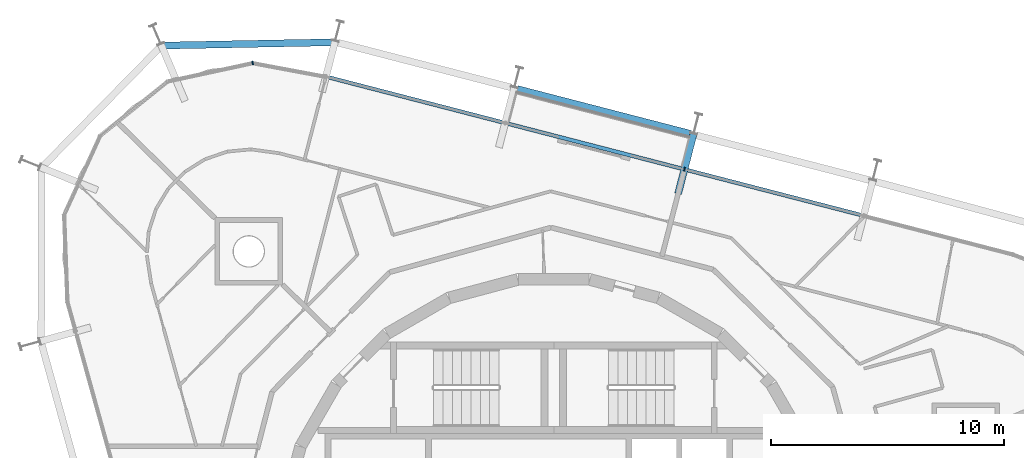
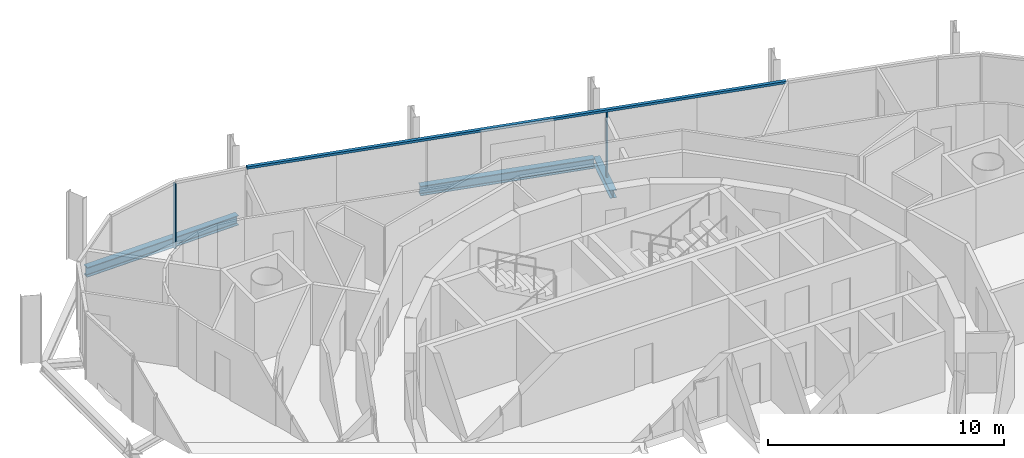
# One storey, part 6 of 15: 3 beams, 3 members, 2 elements without a shape of their own.
"""IFC4 building model written with IfcOpenShell, lengths in metres."""

import ifcopenshell
import ifcopenshell.guid

model = None  # the IFC model being written
_history = None  # IfcOwnerHistory: only IFC2X3 demands one
_inside = {}  # id of a spatial element -> (the spatial element, [elements in it])
_under = {}  # id of a project, library or spatial element -> (it, [spatial elements below it])
_declared = {}  # id of a project -> (the project, [libraries it declares])
_typed = {}  # id of a type object -> (the type object, [elements of that type])
_made_of = {}  # id of a material, layer set ... -> (it, [elements and type objects made of it])


def new_model(schema):
    """Start an empty IFC model of exactly this schema.

    Asked for "IFC4X3", IfcOpenShell would pick the latest addendum, in which some entities
    have other attributes; the version numbers below select the first issue.
    IFC2X3 requires an IfcOwnerHistory on every rooted entity: one is made here for all.
    """
    global model, _history
    if schema == "IFC4X3":
        model = ifcopenshell.file(schema_version=(4, 3, 0, 0))
    else:
        model = ifcopenshell.file(schema=schema)
    _inside.clear()
    _under.clear()
    _declared.clear()
    _typed.clear()
    _made_of.clear()
    _history = None
    if model.schema == "IFC2X3":
        org = make("IfcOrganization", Name="unknown")
        user = make(
            "IfcPersonAndOrganization",
            ThePerson=make("IfcPerson", FamilyName="unknown"),
            TheOrganization=org,
        )
        app = make(
            "IfcApplication",
            ApplicationDeveloper=org,
            Version="unknown",
            ApplicationFullName="unknown",
            ApplicationIdentifier="unknown",
        )
        _history = make(
            "IfcOwnerHistory",
            OwningUser=user,
            OwningApplication=app,
            ChangeAction="ADDED",
            CreationDate=0,
        )
    return model


def make(cls, **values):
    """One entity of the class cls with the attributes given. An attribute that is None is left unset."""
    return model.create_entity(
        cls, **{name: value for name, value in values.items() if value is not None}
    )


def rooted(cls, **values):
    """An entity with a GlobalId (a new one), such as an element, a storey or a relation."""
    return make(cls, GlobalId=ifcopenshell.guid.new(), OwnerHistory=_history, **values)


def si_unit(unit_type, name, prefix=None):
    """IfcSIUnit, for example si_unit("LENGTHUNIT", "METRE", prefix="MILLI")."""
    return make("IfcSIUnit", UnitType=unit_type, Prefix=prefix, Name=name)


def assignment(units):
    """IfcUnitAssignment: the units of a project."""
    return None if units is None else make("IfcUnitAssignment", Units=units)


def point(xyz):
    """IfcCartesianPoint."""
    return None if xyz is None else make("IfcCartesianPoint", Coordinates=xyz)


def direction(xyz):
    """IfcDirection."""
    return None if xyz is None else make("IfcDirection", DirectionRatios=xyz)


def frame(location, z_axis=None, x_axis=None):
    """IfcAxis2Placement3D, a coordinate frame: its origin and axes. An axis left out is left unset."""
    return make(
        "IfcAxis2Placement3D",
        Location=point(location),
        Axis=direction(z_axis),
        RefDirection=direction(x_axis),
    )


def frame_2d(location, x_axis=None):
    """IfcAxis2Placement2D, a coordinate frame in the plane: its origin and x axis."""
    return make(
        "IfcAxis2Placement2D", Location=point(location), RefDirection=direction(x_axis)
    )


def origin():
    """The frame at (0, 0, 0) with its axes left unset."""
    return frame((0.0, 0.0, 0.0))


def origin_2d():
    """The frame at (0, 0) in the plane with its x axis left unset."""
    return frame_2d((0.0, 0.0))


def place(relative_to, where):
    """IfcLocalPlacement: puts the frame where relative to a parent placement (None: the world)."""
    return make(
        "IfcLocalPlacement", PlacementRelTo=relative_to, RelativePlacement=where
    )


def context(
    kind, dimensions, precision=None, world=None, true_north=None, identifier=None
):
    """IfcGeometricRepresentationContext, for example the 3D "Model" context."""
    return make(
        "IfcGeometricRepresentationContext",
        ContextIdentifier=identifier,
        ContextType=kind,
        CoordinateSpaceDimension=dimensions,
        Precision=precision,
        WorldCoordinateSystem=world,
        TrueNorth=true_north,
    )


def subcontext(parent, identifier, kind, view, scale=None):
    """IfcGeometricRepresentationSubContext, for example "Body" below "Model"."""
    return make(
        "IfcGeometricRepresentationSubContext",
        ContextIdentifier=identifier,
        ContextType=kind,
        ParentContext=parent,
        TargetScale=scale,
        TargetView=view,
    )


def project(units=None, contexts=None):
    """IfcProject with its units and contexts."""
    return rooted(
        "IfcProject",
        Name="project",
        RepresentationContexts=contexts,
        UnitsInContext=assignment(units),
    )


def spatial(cls, under=None, at=None, **own):
    """A site, building, storey or space (cls), placed at a placement, below another one or the project."""
    s = rooted(cls, ObjectPlacement=at, **own)
    if under is not None:
        _under.setdefault(under.id(), (under, []))[1].append(s)
    return s


def profile(cls, at=None, kind="AREA", **sizes):
    """A parametric profile (cls). Its sizes go by their IFC names, for example OverallWidth=200.0."""
    return make(cls, ProfileType=kind, Position=at, **sizes)


def rectangle(**sizes):
    """IfcRectangleProfileDef."""
    return profile("IfcRectangleProfileDef", **sizes)


def i_section(**sizes):
    """IfcIShapeProfileDef."""
    return profile("IfcIShapeProfileDef", **sizes)


def extrude(swept, where, along, depth):
    """IfcExtrudedAreaSolid: the profile swept, set in the frame where, extruded along a direction by depth."""
    return make(
        "IfcExtrudedAreaSolid",
        SweptArea=swept,
        Position=where,
        ExtrudedDirection=direction(along),
        Depth=depth,
    )


def shape(context_of_items, identifier, shape_type, items):
    """IfcShapeRepresentation: the items that make up one representation, for example the "Body"."""
    return make(
        "IfcShapeRepresentation",
        ContextOfItems=context_of_items,
        RepresentationIdentifier=identifier,
        RepresentationType=shape_type,
        Items=items,
    )


def material(Name=None, Category=None):
    """IfcMaterial."""
    return make("IfcMaterial", Name=Name, Category=Category)


def layer(
    of_material, thickness, ventilated=None, Name=None, Category=None, Priority=None
):
    """IfcMaterialLayer: one layer of a wall or slab, of a material (None: an air gap)."""
    return make(
        "IfcMaterialLayer",
        Material=of_material,
        LayerThickness=thickness,
        IsVentilated=ventilated,
        Name=Name,
        Category=Category,
        Priority=Priority,
    )


def layer_set(layers, Name=None):
    """IfcMaterialLayerSet."""
    return make("IfcMaterialLayerSet", MaterialLayers=layers, LayerSetName=Name)


def material_profile(
    of_material, cross_section, Name=None, Category=None, Priority=None
):
    """IfcMaterialProfile: a cross section and its material."""
    return make(
        "IfcMaterialProfile",
        Name=Name,
        Material=of_material,
        Profile=cross_section,
        Priority=Priority,
        Category=Category,
    )


def profile_set(profiles, Name=None, composite=None):
    """IfcMaterialProfileSet."""
    return make(
        "IfcMaterialProfileSet",
        Name=Name,
        MaterialProfiles=profiles,
        CompositeProfile=composite,
    )


def made_of(thing, what):
    """Note that an element or type object is made of a material, layer set ...; save() writes the relation."""
    if what is not None:
        _made_of.setdefault(what.id(), (what, []))[1].append(thing)
    return thing


def type_object(cls, material=None, **own):
    """A type object (cls), such as IfcWallType, which elements share."""
    return made_of(rooted(cls, **own), material)


def element(
    cls,
    number,
    at=None,
    inside=None,
    cuts=None,
    type_object=None,
    material=None,
    context=None,
    identifier="Body",
    shape_type=None,
    held_by="IfcProductDefinitionShape",
    body=None,
    shapes=None,
    **own,
):
    """One element of the class cls, such as IfcWall. Its Tag is "e" and its number.

    at: its placement. inside: the storey or other place that contains it. cuts: it is an
    opening in that element (IfcRelVoidsElement). A single representation is given by context,
    identifier, shape_type and body (its items); several are given by shapes. held_by: the class
    of the entity that holds the representations. save() writes the other relations.
    """
    e = rooted(cls, Tag="e%d" % number, ObjectPlacement=at, **own)
    if body is not None:
        shapes = [shape(context, identifier, shape_type, body)]
    if shapes is not None:
        e.Representation = make(held_by, Representations=shapes)
    if inside is not None:
        _inside.setdefault(inside.id(), (inside, []))[1].append(e)
    if cuts is not None:
        rooted(
            "IfcRelVoidsElement", RelatingBuildingElement=cuts, RelatedOpeningElement=e
        )
    if type_object is not None:
        _typed.setdefault(type_object.id(), (type_object, []))[1].append(e)
    return made_of(e, material)


def aggregate(whole, parts):
    """IfcRelAggregates: a whole, such as a stair, and the parts it consists of."""
    return rooted("IfcRelAggregates", RelatingObject=whole, RelatedObjects=parts)


def save(model, path):
    """Write the relations noted so far, then the file.

    IfcRelAggregates (storeys below a building ...), IfcRelContainedInSpatialStructure (elements
    in a storey), IfcRelDefinesByType, IfcRelAssociatesMaterial and IfcRelDeclares: one each for
    every whole, place, type object, material and project.
    """
    for whole, parts in _under.values():
        aggregate(whole, parts)
    for where, things in _inside.values():
        rooted(
            "IfcRelContainedInSpatialStructure",
            RelatedElements=things,
            RelatingStructure=where,
        )
    for kind, things in _typed.values():
        rooted("IfcRelDefinesByType", RelatedObjects=things, RelatingType=kind)
    for what, things in _made_of.values():
        rooted("IfcRelAssociatesMaterial", RelatedObjects=things, RelatingMaterial=what)
    for by, libraries in _declared.values():
        rooted("IfcRelDeclares", RelatingContext=by, RelatedDefinitions=libraries)
    model.write(path)


model = new_model("IFC4")

# Units and contexts
model_context = context("Model", 3, precision=1e-05, world=origin(), true_north=direction((0.0, 1.0)))
body_context = subcontext(model_context, "Body", "Model", "MODEL_VIEW")
ifc_project = project(units=[si_unit("LENGTHUNIT", "METRE"), si_unit("AREAUNIT", "SQUARE_METRE"), si_unit("VOLUMEUNIT", "CUBIC_METRE"), si_unit("PLANEANGLEUNIT", "RADIAN"), si_unit("MASSUNIT", "GRAM", prefix="KILO")], contexts=[model_context])

# Site, building, storey
site_placement = place(None, origin())
site = spatial("IfcSite", under=ifc_project, at=site_placement, CompositionType="ELEMENT")
building_placement = place(site_placement, origin())
building = spatial("IfcBuilding", under=site, at=building_placement, Name="Spindle Arch Residences", CompositionType="ELEMENT")
storey_placement = place(building_placement, frame((0.0, 0.0, 319.199951171875)))
storey = spatial("IfcBuildingStorey", under=building, at=storey_placement, Name="L82", CompositionType="ELEMENT", Elevation=319.199951171875)

# Curtain wall, member
ifc_material_1 = material(Name="Aluminium bronze unitised frame with tinted glass", Category="aluminium")
ifc_layer_1 = layer(ifc_material_1, 0.159912109375)
ifc_layer_set_1 = layer_set([ifc_layer_1], Name="CW-C typical residential unitised wall")
curtain_wall_type_1 = type_object("IfcCurtainWallType", Name="CW-C typical residential unitised wall", PredefinedType="NOTDEFINED", material=ifc_layer_set_1)
curtain_wall_1_placement = place(storey_placement, origin())
curtain_wall_1 = element("IfcCurtainWall", 1, at=curtain_wall_1_placement, inside=storey, type_object=curtain_wall_type_1, Name="CW-C L82 run 2", PredefinedType="NOTDEFINED")
ifc_material_2 = material(Name="Aluminium bronze anodised mullion", Category="aluminium")
ifc_material_profile_1 = material_profile(ifc_material_2, rectangle(XDim=0.159912109375, YDim=0.06005859375, at=origin_2d()), Name="MU 60x160")
ifc_profile_set_1 = profile_set([ifc_material_profile_1], Name="Aluminium bronze anodised mullion")
member_type_1 = type_object("IfcMemberType", Name="Bronze mullion 60x160", PredefinedType="MULLION", material=ifc_profile_set_1)
member_1_placement = place(storey_placement, frame((5.59814453125, 16.3642578125, -0.3798828125), z_axis=(0.0, 0.0, 1.0), x_axis=(-0.250380004054, -0.968147640378, 0.0)))
member_1 = element("IfcMember", 2, at=member_1_placement, type_object=member_type_1, Name="CW-C mullion 06", PredefinedType="MULLION", context=body_context, shape_type="SweptSolid", body=[
    extrude(rectangle(XDim=0.159912109375, YDim=0.06005859375, at=origin_2d()), origin(), (0.0, 0.0, 1.0), 3.3798828125),
])

ifc_material_3 = material(Name="Aluminium bronze unitised frame with tinted glass", Category="aluminium")
ifc_layer_2 = layer(ifc_material_3, 0.159912109375)
ifc_layer_set_2 = layer_set([ifc_layer_2], Name="CW-D corner wall on the fillet arcs")
curtain_wall_type_2 = type_object("IfcCurtainWallType", Name="CW-D corner wall on the fillet arcs", PredefinedType="NOTDEFINED", material=ifc_layer_set_2)
curtain_wall_2_placement = place(storey_placement, origin())
curtain_wall_2 = element("IfcCurtainWall", 3, at=curtain_wall_2_placement, inside=storey, type_object=curtain_wall_type_2, Name="CW-D L82 run 3", PredefinedType="NOTDEFINED")
member_2_placement = place(storey_placement, frame((-12.908935546875, 20.925537109375, -0.3798828125), z_axis=(0.0, 0.0, 1.0), x_axis=(0.210756129184, -0.977538671364, 0.0)))
member_2 = element("IfcMember", 4, at=member_2_placement, type_object=member_type_1, Name="CW-D mullion 01", PredefinedType="MULLION", context=body_context, shape_type="SweptSolid", body=[
    extrude(rectangle(XDim=0.159912109375, YDim=0.06005859375, at=origin_2d()), origin(), (0.0, 0.0, 1.0), 3.3798828125),
])
aggregate(curtain_wall_2, [member_2])

# Member
ifc_material_4 = material(Name="Aluminium bronze anodised transom", Category="aluminium")
ifc_material_profile_2 = material_profile(ifc_material_4, rectangle(XDim=0.159912109375, YDim=0.1201171875, at=origin_2d()), Name="TR 120x160")
ifc_profile_set_2 = profile_set([ifc_material_profile_2], Name="Aluminium bronze anodised transom")
member_type_2 = type_object("IfcMemberType", Name="Bronze transom 120x160", PredefinedType="USERDEFINED", material=ifc_profile_set_2)
member_3_placement = place(storey_placement, frame((13.25146484375, 14.385009765625, 3.06005859375), z_axis=(-0.96814815777, 0.250378003441, 0.0), x_axis=(-0.250378003441, -0.96814815777, 0.0)))
member_3 = element("IfcMember", 5, at=member_3_placement, type_object=member_type_2, Name="CW-C transom 00", ObjectType="TRANSOM", PredefinedType="USERDEFINED", context=body_context, shape_type="SweptSolid", body=[
    extrude(rectangle(XDim=0.159912109375, YDim=0.1201171875, at=origin_2d()), origin(), (0.0, 0.0, 1.0), 23.745361328125),
])

aggregate(curtain_wall_1, [member_3, member_1])

# Beams
ifc_material_5 = material(Name="Steel S460ML, intumescent coating R 120", Category="steel")
ifc_material_profile_3 = material_profile(ifc_material_5, i_section(OverallWidth=0.300048828125, OverallDepth=0.5, WebThickness=0.014404296875, FlangeThickness=0.028076171875, FilletRadius=0.027099609375, at=origin_2d()), Name="HEB 500")
ifc_profile_set_3 = profile_set([ifc_material_profile_3], Name="Steel S460ML, intumescent coating R 120")
beam_type_1 = type_object("IfcBeamType", Name="Exoskeleton edge beam HEB 500", PredefinedType="BEAM", material=ifc_profile_set_3)
beam_1_placement = place(storey_placement, frame((5.85791015625, 17.8876953125, -0.6298828125), z_axis=(-0.968149836341, 0.250371512743, 0.0), x_axis=(-0.250371512743, -0.968149836341, 0.0)))
element("IfcBeam", 6, at=beam_1_placement, inside=storey, type_object=beam_type_1, Name="Exoskeleton edge beam 7", PredefinedType="BEAM", context=body_context, shape_type="SweptSolid", body=[
    extrude(i_section(OverallWidth=0.300048828125, OverallDepth=0.5, WebThickness=0.014404296875, FlangeThickness=0.028076171875, FilletRadius=0.027099609375, at=origin_2d()), origin(), (0.0, 0.0, 1.0), 7.675048828125),
])
beam_2_placement = place(storey_placement, frame((-9.355224609375, 21.812255859375, -0.6298828125), z_axis=(-0.999816137615, -0.019175269612, 0.0), x_axis=(0.019175269612, -0.999816137615, 0.0)))
element("IfcBeam", 7, at=beam_2_placement, inside=storey, type_object=beam_type_1, Name="Exoskeleton edge beam 9", PredefinedType="BEAM", context=body_context, shape_type="SweptSolid", body=[
    extrude(i_section(OverallWidth=0.300048828125, OverallDepth=0.5, WebThickness=0.014404296875, FlangeThickness=0.028076171875, FilletRadius=0.027099609375, at=origin_2d()), origin(), (0.0, 0.0, 1.0), 7.499267578125),
])
ifc_material_6 = material(Name="Steel S460ML, intumescent coating R 120", Category="steel")
ifc_material_profile_4 = material_profile(ifc_material_6, i_section(OverallWidth=0.300048828125, OverallDepth=0.389892578125, WebThickness=0.010986328125, FlangeThickness=0.01904296875, FilletRadius=0.027099609375, at=origin_2d()), Name="HEA 400")
ifc_profile_set_4 = profile_set([ifc_material_profile_4], Name="Steel S460ML, intumescent coating R 120")
beam_type_2 = type_object("IfcBeamType", Name="Floor outrigger HEA 400", PredefinedType="BEAM", material=ifc_profile_set_4)
beam_3_placement = place(storey_placement, frame((5.9912109375, 17.88427734375, -0.574951171875), z_axis=(-0.250396221036, -0.968143446237, 0.0), x_axis=(0.968143446237, -0.250396221036, 0.0)))
element("IfcBeam", 8, at=beam_3_placement, inside=storey, type_object=beam_type_2, Name="Floor outrigger 7", PredefinedType="BEAM", context=body_context, shape_type="SweptSolid", body=[
    extrude(i_section(OverallWidth=0.300048828125, OverallDepth=0.389892578125, WebThickness=0.010986328125, FlangeThickness=0.01904296875, FilletRadius=0.027099609375, at=origin_2d()), origin(), (0.0, 0.0, 1.0), 2.650146484375),
])

save(model, "model.ifc")
